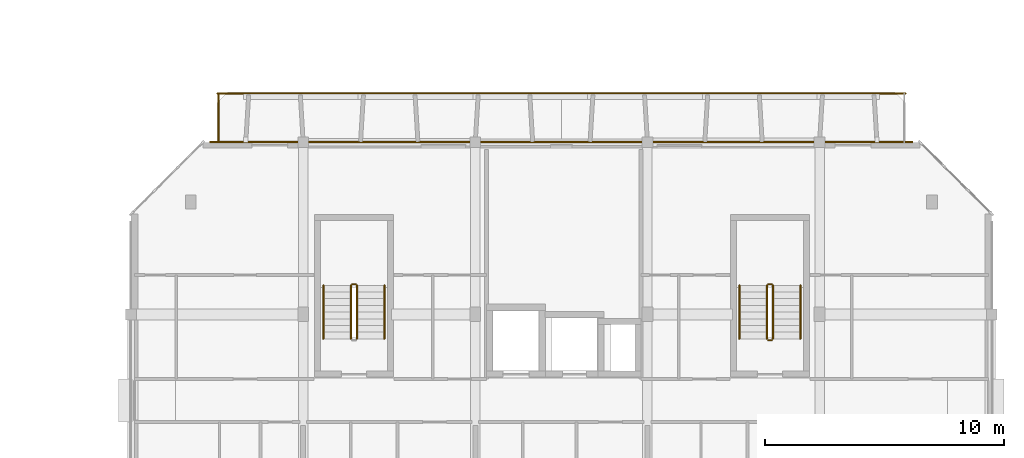
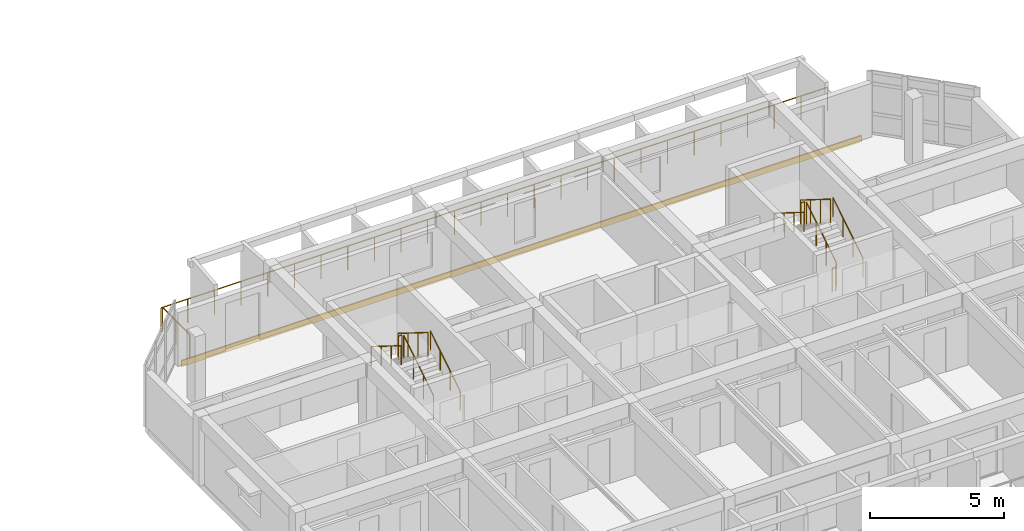
# One storey, part 27 of 30: 13 railings, 1 covering.
"""IFC4 building model written with IfcOpenShell, lengths in metres."""

from ifc_helpers import new_model, si_unit, direction, frame, origin, origin_2d, place, context, subcontext, project, spatial, rectangle, circle, extrude, material, layer, layer_set, type_object, element, save


model = new_model("IFC4")

# Units and contexts
model_context = context("Model", 3, precision=1e-05, world=origin(), true_north=direction((0.0, 1.0)))
body_context = subcontext(model_context, "Body", "Model", "MODEL_VIEW")
ifc_project = project(units=[si_unit("LENGTHUNIT", "METRE"), si_unit("AREAUNIT", "SQUARE_METRE"), si_unit("VOLUMEUNIT", "CUBIC_METRE"), si_unit("PLANEANGLEUNIT", "RADIAN"), si_unit("MASSUNIT", "GRAM", prefix="KILO")], contexts=[model_context])

# Site, building, storey
site_placement = place(None, origin())
site = spatial("IfcSite", under=ifc_project, at=site_placement, CompositionType="ELEMENT")
building_placement = place(site_placement, origin())
building = spatial("IfcBuilding", under=site, at=building_placement, Name="Ochrevale Crest", CompositionType="ELEMENT")
storey_placement = place(building_placement, frame((0.0, 0.0, 33.89990234375)))
storey = spatial("IfcBuildingStorey", under=building, at=storey_placement, Name="L10", CompositionType="ELEMENT", Elevation=33.89990234375)

# Covering
ifc_material_1 = material(Name="Glazed terracotta rainscreen tile", Category="masonry")
ifc_layer = layer(ifc_material_1, 0.048095703125)
ifc_layer_set = layer_set([ifc_layer], Name="Glazed terracotta rainscreen tile")
covering_type = type_object("IfcCoveringType", Name="COV-CLAD-TER", PredefinedType="CLADDING", material=ifc_layer_set)
covering_placement = place(storey_placement, frame((147.60009765625, 36.012451171875, -0.259765625), z_axis=(0.0, 0.0, 1.0), x_axis=(-1.0, 0.0, 0.0)))
element("IfcCovering", 1, at=covering_placement, inside=storey, type_object=covering_type, Name="Block C L10 terracotta slab-edge spandrel cladding", PredefinedType="CLADDING", context=body_context, shape_type="SweptSolid", body=[
    extrude(rectangle(XDim=29.39990234375, YDim=0.06005859375, at=origin_2d()), origin(), (0.0, 0.0, 1.0), 0.280029296875),
])

# Railings
ifc_material_2 = material(Name="Galvanised steel", Category="steel")
railing_type_1 = type_object("IfcRailingType", Name="RL-BAL-1100", PredefinedType="BALUSTRADE", material=ifc_material_2)
railing_1_placement = place(storey_placement, frame((133.199951171875, 38.0400390625, 0.0)))
element("IfcRailing", 2, at=railing_1_placement, inside=storey, type_object=railing_type_1, Name="Block C L10 N balcony front balustrade", PredefinedType="BALUSTRADE", context=body_context, shape_type="SweptSolid", body=[
    extrude(circle(Radius=0.02392578125, at=origin_2d()), frame((0.0, 0.0, 1.0859375), z_axis=(1.0, 0.0, 0.0), x_axis=(0.0, 1.0, 0.0)), (0.0, 0.0, 1.0), 28.800048828125),
    extrude(circle(Radius=0.02099609375, at=origin_2d()), origin(), (0.0, 0.0, 1.0), 1.06201171875),
    extrude(circle(Radius=0.02099609375, at=origin_2d()), frame((1.152099609375, 0.0, 0.0)), (0.0, 0.0, 1.0), 1.06201171875),
    extrude(circle(Radius=0.02099609375, at=origin_2d()), frame((2.303955078125, 0.0, 0.0)), (0.0, 0.0, 1.0), 1.06201171875),
    extrude(circle(Radius=0.02099609375, at=origin_2d()), frame((3.4560546875, 0.0, 0.0)), (0.0, 0.0, 1.0), 1.06201171875),
    extrude(circle(Radius=0.02099609375, at=origin_2d()), frame((4.60791015625, 0.0, 0.0)), (0.0, 0.0, 1.0), 1.06201171875),
    extrude(circle(Radius=0.02099609375, at=origin_2d()), frame((5.760009765625, 0.0, 0.0)), (0.0, 0.0, 1.0), 1.06201171875),
    extrude(circle(Radius=0.02099609375, at=origin_2d()), frame((6.912109375, 0.0, 0.0)), (0.0, 0.0, 1.0), 1.06201171875),
    extrude(circle(Radius=0.02099609375, at=origin_2d()), frame((8.06396484375, 0.0, 0.0)), (0.0, 0.0, 1.0), 1.06201171875),
    extrude(circle(Radius=0.02099609375, at=origin_2d()), frame((9.216064453125, 0.0, 0.0)), (0.0, 0.0, 1.0), 1.06201171875),
    extrude(circle(Radius=0.02099609375, at=origin_2d()), frame((10.367919921875, 0.0, 0.0)), (0.0, 0.0, 1.0), 1.06201171875),
    extrude(circle(Radius=0.02099609375, at=origin_2d()), frame((11.52001953125, 0.0, 0.0)), (0.0, 0.0, 1.0), 1.06201171875),
    extrude(circle(Radius=0.02099609375, at=origin_2d()), frame((12.672119140625, 0.0, 0.0)), (0.0, 0.0, 1.0), 1.06201171875),
    extrude(circle(Radius=0.02099609375, at=origin_2d()), frame((13.823974609375, 0.0, 0.0)), (0.0, 0.0, 1.0), 1.06201171875),
    extrude(circle(Radius=0.02099609375, at=origin_2d()), frame((14.97607421875, 0.0, 0.0)), (0.0, 0.0, 1.0), 1.06201171875),
    extrude(circle(Radius=0.02099609375, at=origin_2d()), frame((16.1279296875, 0.0, 0.0)), (0.0, 0.0, 1.0), 1.06201171875),
    extrude(circle(Radius=0.02099609375, at=origin_2d()), frame((17.280029296875, 0.0, 0.0)), (0.0, 0.0, 1.0), 1.06201171875),
    extrude(circle(Radius=0.02099609375, at=origin_2d()), frame((18.43212890625, 0.0, 0.0)), (0.0, 0.0, 1.0), 1.06201171875),
    extrude(circle(Radius=0.02099609375, at=origin_2d()), frame((19.583984375, 0.0, 0.0)), (0.0, 0.0, 1.0), 1.06201171875),
    extrude(circle(Radius=0.02099609375, at=origin_2d()), frame((20.736083984375, 0.0, 0.0)), (0.0, 0.0, 1.0), 1.06201171875),
    extrude(circle(Radius=0.02099609375, at=origin_2d()), frame((21.887939453125, 0.0, 0.0)), (0.0, 0.0, 1.0), 1.06201171875),
    extrude(circle(Radius=0.02099609375, at=origin_2d()), frame((23.0400390625, 0.0, 0.0)), (0.0, 0.0, 1.0), 1.06201171875),
    extrude(circle(Radius=0.02099609375, at=origin_2d()), frame((24.192138671875, 0.0, 0.0)), (0.0, 0.0, 1.0), 1.06201171875),
    extrude(circle(Radius=0.02099609375, at=origin_2d()), frame((25.343994140625, 0.0, 0.0)), (0.0, 0.0, 1.0), 1.06201171875),
    extrude(circle(Radius=0.02099609375, at=origin_2d()), frame((26.49609375, 0.0, 0.0)), (0.0, 0.0, 1.0), 1.06201171875),
    extrude(circle(Radius=0.02099609375, at=origin_2d()), frame((27.64794921875, 0.0, 0.0)), (0.0, 0.0, 1.0), 1.06201171875),
    extrude(circle(Radius=0.02099609375, at=origin_2d()), frame((28.800048828125, 0.0, 0.0)), (0.0, 0.0, 1.0), 1.06201171875),
])
railing_2_placement = place(storey_placement, frame((133.260009765625, 36.0, 0.0)))
element("IfcRailing", 3, at=railing_2_placement, inside=storey, type_object=railing_type_1, Name="Block C L10 N-W balcony side guard", PredefinedType="BALUSTRADE", context=body_context, shape_type="SweptSolid", body=[
    extrude(circle(Radius=0.02392578125, at=origin_2d()), frame((0.0, 0.0, 1.0859375), z_axis=(0.0, 1.0, 0.0), x_axis=(-1.0, 0.0, 0.0)), (0.0, 0.0, 1.0), 2.0400390625),
    extrude(circle(Radius=0.02099609375, at=origin_2d()), origin(), (0.0, 0.0, 1.0), 1.06201171875),
    extrude(circle(Radius=0.02099609375, at=origin_2d()), frame((0.0, 1.02001953125, 0.0)), (0.0, 0.0, 1.0), 1.06201171875),
    extrude(circle(Radius=0.02099609375, at=origin_2d()), frame((0.0, 2.0400390625, 0.0)), (0.0, 0.0, 1.0), 1.06201171875),
])
railing_type_2 = type_object("IfcRailingType", Name="RL-ST-GUARD", PredefinedType="BALUSTRADE", material=ifc_material_2)
railing_3_placement = place(storey_placement, frame((139.050048828125, 27.77490234375, 0.175048828125)))
element("IfcRailing", 4, at=railing_3_placement, inside=storey, type_object=railing_type_2, Name="L10 ST-C1 stair guard 1", PredefinedType="BALUSTRADE", context=body_context, shape_type="SweptSolid", body=[
    extrude(circle(Radius=0.02392578125, at=origin_2d()), frame((0.0, 0.0, 1.076171875), z_axis=(0.0, 0.847972341737, 0.530040477369), x_axis=(-1.0, 0.0, 0.0)), (0.0, 0.0, 1.0), 2.6416015625),
    extrude(circle(Radius=0.02099609375, at=origin_2d()), origin(), (0.0, 0.0, 1.0), 1.052001953125),
    extrude(circle(Radius=0.02099609375, at=origin_2d()), frame((0.0, 0.74658203125, 0.466796875)), (0.0, 0.0, 1.0), 1.052001953125),
    extrude(circle(Radius=0.02099609375, at=origin_2d()), frame((0.0, 1.493408203125, 0.933349609375)), (0.0, 0.0, 1.0), 1.052001953125),
    extrude(circle(Radius=0.02099609375, at=origin_2d()), frame((0.0, 2.239990234375, 1.400146484375)), (0.0, 0.0, 1.0), 1.052001953125),
])
railing_4_placement = place(storey_placement, frame((139.0, 30.06494140625, 1.5751953125)))
element("IfcRailing", 5, at=railing_4_placement, inside=storey, type_object=railing_type_2, Name="L10 ST-C1 stair guard 2", PredefinedType="BALUSTRADE", context=body_context, shape_type="SweptSolid", body=[
    extrude(circle(Radius=0.02392578125, at=origin_2d()), frame((0.0, 0.0, 1.076171875), z_axis=(-1.0, 0.0, 0.0), x_axis=(0.0, -1.0, 0.0)), (0.0, 0.0, 1.0), 0.14990234375),
    extrude(circle(Radius=0.02099609375, at=origin_2d()), origin(), (0.0, 0.0, 1.0), 1.052001953125),
    extrude(circle(Radius=0.02099609375, at=origin_2d()), frame((-0.14990234375, 0.0, 0.0)), (0.0, 0.0, 1.0), 1.052001953125),
])
railing_5_placement = place(storey_placement, frame((138.800048828125, 30.014892578125, 1.75)))
element("IfcRailing", 6, at=railing_5_placement, inside=storey, type_object=railing_type_2, Name="L10 ST-C1 stair guard 3", PredefinedType="BALUSTRADE", context=body_context, shape_type="SweptSolid", body=[
    extrude(circle(Radius=0.02392578125, at=origin_2d()), frame((0.0, 0.0, 1.076171875), z_axis=(0.0, -0.847972341737, 0.530040477369), x_axis=(1.0, 0.0, 0.0)), (0.0, 0.0, 1.0), 2.6416015625),
    extrude(circle(Radius=0.02099609375, at=origin_2d()), origin(), (0.0, 0.0, 1.0), 1.052001953125),
    extrude(circle(Radius=0.02099609375, at=origin_2d()), frame((0.0, -0.74658203125, 0.466796875)), (0.0, 0.0, 1.0), 1.052001953125),
    extrude(circle(Radius=0.02099609375, at=origin_2d()), frame((0.0, -1.493408203125, 0.933349609375)), (0.0, 0.0, 1.0), 1.052001953125),
    extrude(circle(Radius=0.02099609375, at=origin_2d()), frame((0.0, -2.239990234375, 1.400146484375)), (0.0, 0.0, 1.0), 1.052001953125),
])
railing_6_placement = place(storey_placement, frame((156.449951171875, 27.77490234375, 0.175048828125)))
element("IfcRailing", 7, at=railing_6_placement, inside=storey, type_object=railing_type_2, Name="L10 ST-C2 stair guard 1", PredefinedType="BALUSTRADE", context=body_context, shape_type="SweptSolid", body=[
    extrude(circle(Radius=0.02392578125, at=origin_2d()), frame((0.0, 0.0, 1.076171875), z_axis=(0.0, 0.847972341737, 0.530040477369), x_axis=(-1.0, 0.0, 0.0)), (0.0, 0.0, 1.0), 2.6416015625),
    extrude(circle(Radius=0.02099609375, at=origin_2d()), origin(), (0.0, 0.0, 1.0), 1.052001953125),
    extrude(circle(Radius=0.02099609375, at=origin_2d()), frame((0.0, 0.74658203125, 0.466796875)), (0.0, 0.0, 1.0), 1.052001953125),
    extrude(circle(Radius=0.02099609375, at=origin_2d()), frame((0.0, 1.493408203125, 0.933349609375)), (0.0, 0.0, 1.0), 1.052001953125),
    extrude(circle(Radius=0.02099609375, at=origin_2d()), frame((0.0, 2.239990234375, 1.400146484375)), (0.0, 0.0, 1.0), 1.052001953125),
])
railing_7_placement = place(storey_placement, frame((156.39990234375, 30.06494140625, 1.5751953125)))
element("IfcRailing", 8, at=railing_7_placement, inside=storey, type_object=railing_type_2, Name="L10 ST-C2 stair guard 2", PredefinedType="BALUSTRADE", context=body_context, shape_type="SweptSolid", body=[
    extrude(circle(Radius=0.02392578125, at=origin_2d()), frame((0.0, 0.0, 1.076171875), z_axis=(-1.0, 0.0, 0.0), x_axis=(0.0, -1.0, 0.0)), (0.0, 0.0, 1.0), 0.14990234375),
    extrude(circle(Radius=0.02099609375, at=origin_2d()), origin(), (0.0, 0.0, 1.0), 1.052001953125),
    extrude(circle(Radius=0.02099609375, at=origin_2d()), frame((-0.14990234375, 0.0, 0.0)), (0.0, 0.0, 1.0), 1.052001953125),
])
railing_8_placement = place(storey_placement, frame((156.199951171875, 30.014892578125, 1.75)))
element("IfcRailing", 9, at=railing_8_placement, inside=storey, type_object=railing_type_2, Name="L10 ST-C2 stair guard 3", PredefinedType="BALUSTRADE", context=body_context, shape_type="SweptSolid", body=[
    extrude(circle(Radius=0.02392578125, at=origin_2d()), frame((0.0, 0.0, 1.076171875), z_axis=(0.0, -0.847972341737, 0.530040477369), x_axis=(1.0, 0.0, 0.0)), (0.0, 0.0, 1.0), 2.6416015625),
    extrude(circle(Radius=0.02099609375, at=origin_2d()), origin(), (0.0, 0.0, 1.0), 1.052001953125),
    extrude(circle(Radius=0.02099609375, at=origin_2d()), frame((0.0, -0.74658203125, 0.466796875)), (0.0, 0.0, 1.0), 1.052001953125),
    extrude(circle(Radius=0.02099609375, at=origin_2d()), frame((0.0, -1.493408203125, 0.933349609375)), (0.0, 0.0, 1.0), 1.052001953125),
    extrude(circle(Radius=0.02099609375, at=origin_2d()), frame((0.0, -2.239990234375, 1.400146484375)), (0.0, 0.0, 1.0), 1.052001953125),
])
railing_9_placement = place(storey_placement, frame((156.39990234375, 27.72509765625, 0.0)))
element("IfcRailing", 10, at=railing_9_placement, inside=storey, type_object=railing_type_2, Name="L10 ST-C2 stair guard 4", PredefinedType="BALUSTRADE", context=body_context, shape_type="SweptSolid", body=[
    extrude(circle(Radius=0.02392578125, at=origin_2d()), frame((0.0, 0.0, 1.076171875), z_axis=(-1.0, 0.0, 0.0), x_axis=(0.0, -1.0, 0.0)), (0.0, 0.0, 1.0), 0.14990234375),
    extrude(circle(Radius=0.02099609375, at=origin_2d()), origin(), (0.0, 0.0, 1.0), 1.052001953125),
    extrude(circle(Radius=0.02099609375, at=origin_2d()), frame((-0.14990234375, 0.0, 0.0)), (0.0, 0.0, 1.0), 1.052001953125),
])
ifc_material_3 = material(Name="Stainless steel", Category="steel")
railing_type_3 = type_object("IfcRailingType", Name="RL-ST-HRAIL", PredefinedType="HANDRAIL", material=ifc_material_3)
railing_10_placement = place(storey_placement, frame((140.199951171875, 27.77490234375, 0.175048828125)))
element("IfcRailing", 11, at=railing_10_placement, inside=storey, type_object=railing_type_3, Name="L10 ST-C1 stair handrail 1", PredefinedType="HANDRAIL", context=body_context, shape_type="SweptSolid", body=[
    extrude(circle(Radius=0.02392578125, at=origin_2d()), frame((0.0, 0.0, 0.8759765625), z_axis=(0.0, 0.847972341737, 0.530040477369), x_axis=(-1.0, 0.0, 0.0)), (0.0, 0.0, 1.0), 2.6416015625),
    extrude(circle(Radius=0.02099609375, at=origin_2d()), origin(), (0.0, 0.0, 1.0), 0.851806640625),
    extrude(circle(Radius=0.02099609375, at=origin_2d()), frame((0.0, 0.74658203125, 0.466796875)), (0.0, 0.0, 1.0), 0.851806640625),
    extrude(circle(Radius=0.02099609375, at=origin_2d()), frame((0.0, 1.493408203125, 0.933349609375)), (0.0, 0.0, 1.0), 0.851806640625),
    extrude(circle(Radius=0.02099609375, at=origin_2d()), frame((0.0, 2.239990234375, 1.400146484375)), (0.0, 0.0, 1.0), 0.851806640625),
])
railing_11_placement = place(storey_placement, frame((137.64990234375, 30.014892578125, 1.75)))
element("IfcRailing", 12, at=railing_11_placement, inside=storey, type_object=railing_type_3, Name="L10 ST-C1 stair handrail 2", PredefinedType="HANDRAIL", context=body_context, shape_type="SweptSolid", body=[
    extrude(circle(Radius=0.02392578125, at=origin_2d()), frame((0.0, 0.0, 0.8759765625), z_axis=(0.0, -0.847972341737, 0.530040477369), x_axis=(1.0, 0.0, 0.0)), (0.0, 0.0, 1.0), 2.6416015625),
    extrude(circle(Radius=0.02099609375, at=origin_2d()), origin(), (0.0, 0.0, 1.0), 0.851806640625),
    extrude(circle(Radius=0.02099609375, at=origin_2d()), frame((0.0, -0.74658203125, 0.466796875)), (0.0, 0.0, 1.0), 0.851806640625),
    extrude(circle(Radius=0.02099609375, at=origin_2d()), frame((0.0, -1.493408203125, 0.933349609375)), (0.0, 0.0, 1.0), 0.851806640625),
    extrude(circle(Radius=0.02099609375, at=origin_2d()), frame((0.0, -2.239990234375, 1.400146484375)), (0.0, 0.0, 1.0), 0.851806640625),
])
railing_12_placement = place(storey_placement, frame((157.60009765625, 27.77490234375, 0.175048828125)))
element("IfcRailing", 13, at=railing_12_placement, inside=storey, type_object=railing_type_3, Name="L10 ST-C2 stair handrail 1", PredefinedType="HANDRAIL", context=body_context, shape_type="SweptSolid", body=[
    extrude(circle(Radius=0.02392578125, at=origin_2d()), frame((0.0, 0.0, 0.8759765625), z_axis=(0.0, 0.847972341737, 0.530040477369), x_axis=(-1.0, 0.0, 0.0)), (0.0, 0.0, 1.0), 2.6416015625),
    extrude(circle(Radius=0.02099609375, at=origin_2d()), origin(), (0.0, 0.0, 1.0), 0.851806640625),
    extrude(circle(Radius=0.02099609375, at=origin_2d()), frame((0.0, 0.74658203125, 0.466796875)), (0.0, 0.0, 1.0), 0.851806640625),
    extrude(circle(Radius=0.02099609375, at=origin_2d()), frame((0.0, 1.493408203125, 0.933349609375)), (0.0, 0.0, 1.0), 0.851806640625),
    extrude(circle(Radius=0.02099609375, at=origin_2d()), frame((0.0, 2.239990234375, 1.400146484375)), (0.0, 0.0, 1.0), 0.851806640625),
])
railing_13_placement = place(storey_placement, frame((155.050048828125, 30.014892578125, 1.75)))
element("IfcRailing", 14, at=railing_13_placement, inside=storey, type_object=railing_type_3, Name="L10 ST-C2 stair handrail 2", PredefinedType="HANDRAIL", context=body_context, shape_type="SweptSolid", body=[
    extrude(circle(Radius=0.02392578125, at=origin_2d()), frame((0.0, 0.0, 0.8759765625), z_axis=(0.0, -0.847972341737, 0.530040477369), x_axis=(1.0, 0.0, 0.0)), (0.0, 0.0, 1.0), 2.6416015625),
    extrude(circle(Radius=0.02099609375, at=origin_2d()), origin(), (0.0, 0.0, 1.0), 0.851806640625),
    extrude(circle(Radius=0.02099609375, at=origin_2d()), frame((0.0, -0.74658203125, 0.466796875)), (0.0, 0.0, 1.0), 0.851806640625),
    extrude(circle(Radius=0.02099609375, at=origin_2d()), frame((0.0, -1.493408203125, 0.933349609375)), (0.0, 0.0, 1.0), 0.851806640625),
    extrude(circle(Radius=0.02099609375, at=origin_2d()), frame((0.0, -2.239990234375, 1.400146484375)), (0.0, 0.0, 1.0), 0.851806640625),
])

save(model, "model.ifc")
